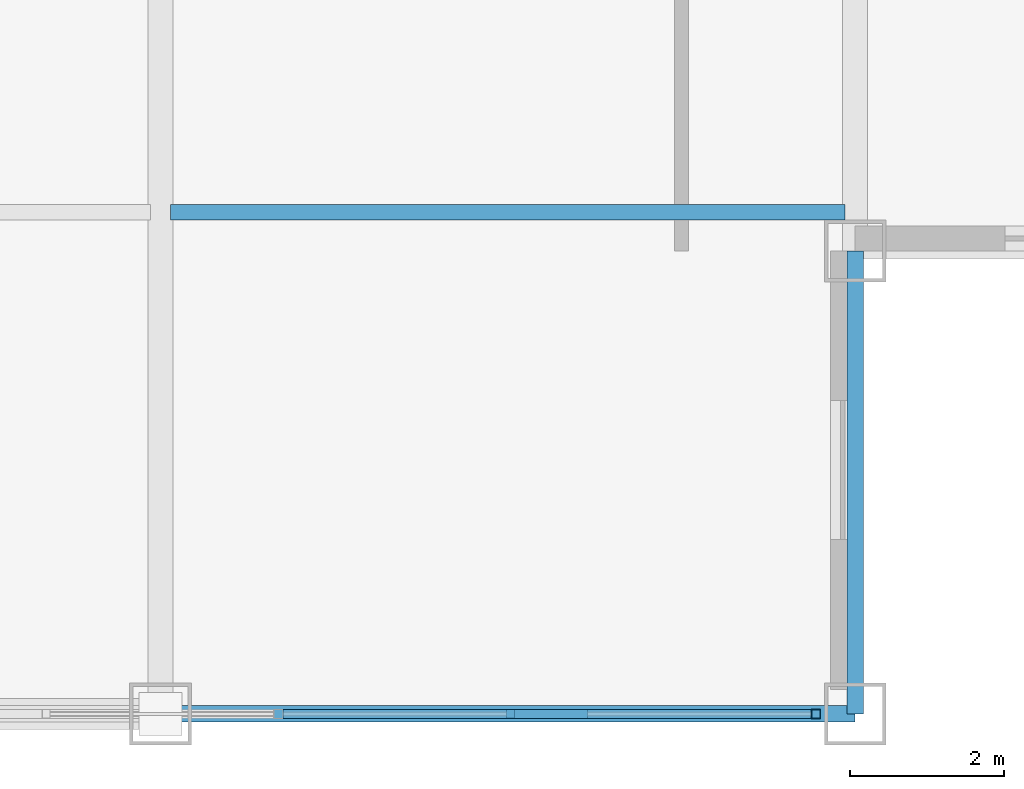
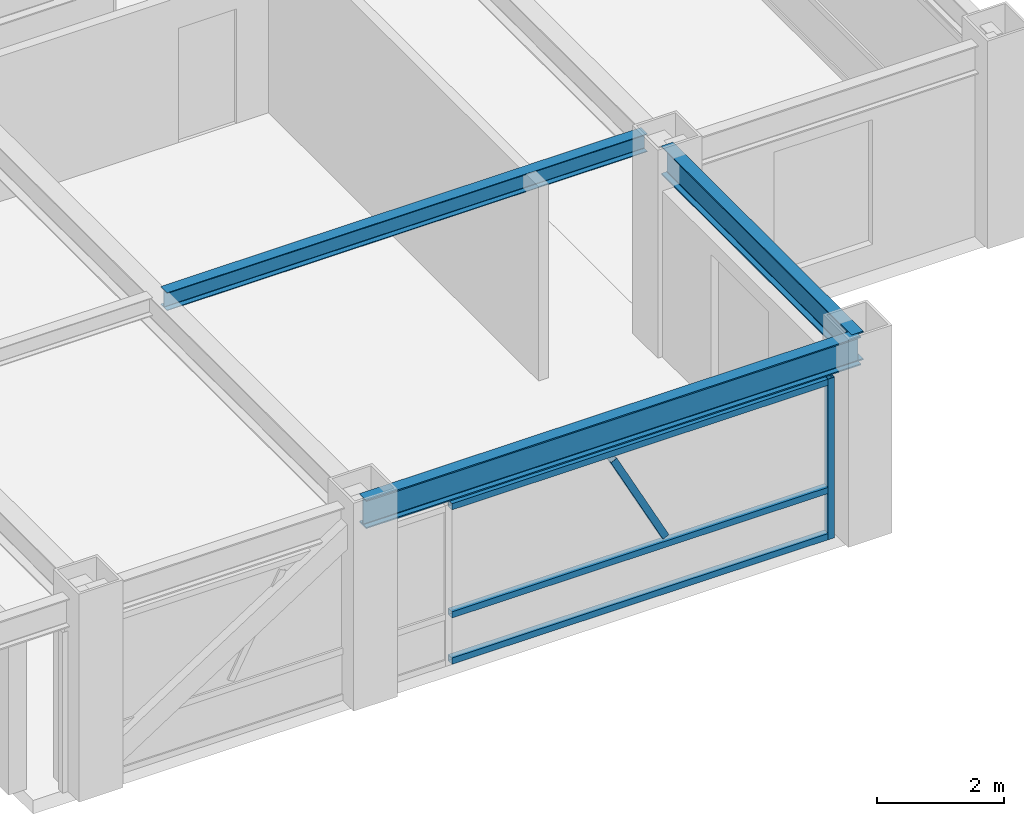
# One storey, part 10 of 29: 5 members, 3 beams, 1 element without a shape of its own.
"""IFC4 building model written with IfcOpenShell, lengths in metres."""

from ifc_helpers import new_model, si_unit, direction, frame, origin, origin_2d, place, context, subcontext, project, spatial, hollow_rectangle, i_section, extrude, source, transform, mapped, material, material_profile, profile_set, type_object, element, aggregate, save


model = new_model("IFC4")

# Units and contexts
model_context = context("Model", 3, precision=1e-05, world=origin(), true_north=direction((0.0, 1.0)))
body_context = subcontext(model_context, "Body", "Model", "MODEL_VIEW")
ifc_project = project(units=[si_unit("LENGTHUNIT", "METRE"), si_unit("AREAUNIT", "SQUARE_METRE"), si_unit("VOLUMEUNIT", "CUBIC_METRE"), si_unit("PLANEANGLEUNIT", "RADIAN"), si_unit("MASSUNIT", "GRAM", prefix="KILO")], contexts=[model_context])

# Site, building, storey
site_placement = place(None, origin())
site = spatial("IfcSite", under=ifc_project, at=site_placement, CompositionType="ELEMENT")
building_placement = place(site_placement, origin())
building = spatial("IfcBuilding", under=site, at=building_placement, Name="Khorayat Bourse Tower", CompositionType="ELEMENT")
storey_placement = place(building_placement, frame((0.0, 0.0, 354.300048828125)))
storey = spatial("IfcBuildingStorey", under=building, at=storey_placement, Name="L84", CompositionType="ELEMENT", Elevation=354.300048828125)

# Beams
ifc_material_1 = material(Name="Steel ASTM A992 Grade 50", Category="steel")
ifc_material_profile_1 = material_profile(ifc_material_1, i_section(OverallWidth=0.214111328125, OverallDepth=0.549072265625, WebThickness=0.0146484375, FlangeThickness=0.023681640625, FilletRadius=0.013916015625, at=origin_2d()), Name="W530X138")
ifc_profile_set_1 = profile_set([ifc_material_profile_1], Name="Steel ASTM A992 Grade 50")
beam_type_1 = type_object("IfcBeamType", Name="BM-SPAN-530", PredefinedType="SPANDREL", material=ifc_profile_set_1)
shared_shape_1 = source(origin(), body_context, "Body", "SweptSolid", [
    extrude(i_section(OverallWidth=0.214111328125, OverallDepth=0.549072265625, WebThickness=0.0146484375, FlangeThickness=0.023681640625, FilletRadius=0.013916015625, at=origin_2d()), origin(), (0.0, 0.0, 1.0), 9.0),
])
beam_1_placement = place(storey_placement, frame((11.0, -26.0, 3.46533203125), z_axis=(1.0, 0.0, 0.0), x_axis=(0.0, 1.0, 0.0)))
element("IfcBeam", 1, at=beam_1_placement, inside=storey, type_object=beam_type_1, Name="L84 BM-SPAN-530 BM-L84-SPN-029", PredefinedType="SPANDREL", context=body_context, shape_type="MappedRepresentation", body=[
    mapped(shared_shape_1, transform((0.0, 0.0, 0.0), scale=1.0)),
])
shared_shape_2 = source(origin(), body_context, "Body", "SweptSolid", [
    extrude(i_section(OverallWidth=0.214111328125, OverallDepth=0.549072265625, WebThickness=0.0146484375, FlangeThickness=0.023681640625, FilletRadius=0.013916015625, at=origin_2d()), origin(), (0.0, 0.0, 1.0), 6.0),
])
beam_2_placement = place(storey_placement, frame((20.0, -26.0, 3.46533203125), z_axis=(0.0, 1.0, 0.0), x_axis=(-1.0, 0.0, 0.0)))
element("IfcBeam", 2, at=beam_2_placement, inside=storey, type_object=beam_type_1, Name="L84 BM-SPAN-530 BM-L84-SPN-030", PredefinedType="SPANDREL", context=body_context, shape_type="MappedRepresentation", body=[
    mapped(shared_shape_2, transform((0.0, 0.0, 0.0), scale=1.0)),
])
ifc_material_profile_2 = material_profile(ifc_material_1, i_section(OverallWidth=0.202880859375, OverallDepth=0.346923828125, WebThickness=0.0078125, FlangeThickness=0.013427734375, FilletRadius=0.010009765625, at=origin_2d()), Name="W360X64")
ifc_profile_set_2 = profile_set([ifc_material_profile_2], Name="Steel ASTM A992 Grade 50")
beam_type_2 = type_object("IfcBeamType", Name="BM-JOIST-360", PredefinedType="JOIST", material=ifc_profile_set_2)
shared_shape_3 = source(origin(), body_context, "Body", "SweptSolid", [
    extrude(i_section(OverallWidth=0.202880859375, OverallDepth=0.346923828125, WebThickness=0.0078125, FlangeThickness=0.013427734375, FilletRadius=0.010009765625, at=origin_2d()), origin(), (0.0, 0.0, 1.0), 8.740234375),
])
beam_3_placement = place(storey_placement, frame((11.1298828125, -19.5, 3.56640625), z_axis=(1.0, 0.0, 0.0), x_axis=(0.0, 1.0, 0.0)))
element("IfcBeam", 3, at=beam_3_placement, inside=storey, type_object=beam_type_2, Name="L84 BM-JOIST-360 BM-L84-JSTX-082", PredefinedType="JOIST", context=body_context, shape_type="MappedRepresentation", body=[
    mapped(shared_shape_3, transform((0.0, 0.0, 0.0), scale=1.0)),
])

# Curtain wall, members
ifc_material_2 = material(Name="Aluminium EN AW-6063 T6", Category="aluminium")
curtain_wall_type = type_object("IfcCurtainWallType", Name="CW-SYS-06", PredefinedType="NOTDEFINED", material=ifc_material_2)
curtain_wall_placement = place(storey_placement, origin())
curtain_wall = element("IfcCurtainWall", 4, at=curtain_wall_placement, inside=storey, type_object=curtain_wall_type, Name="L84 Curtain Wall CW-L84-S2", PredefinedType="NOTDEFINED")
ifc_material_profile_3 = material_profile(ifc_material_2, hollow_rectangle(XDim=0.1201171875, YDim=0.1201171875, WallThickness=0.0048828125, at=origin_2d()), Name="ALU 120x120x5")
ifc_profile_set_3 = profile_set([ifc_material_profile_3], Name="Aluminium EN AW-6063 T6")
member_type_1 = type_object("IfcMemberType", Name="CWM-VERT-120", PredefinedType="MULLION", material=ifc_profile_set_3)
shared_shape_4 = source(origin(), body_context, "Body", "SweptSolid", [
    extrude(hollow_rectangle(XDim=0.1201171875, YDim=0.1201171875, WallThickness=0.0048828125, at=origin_2d()), origin(), (0.0, 0.0, 1.0), 3.08984375),
])
member_1_placement = place(storey_placement, frame((19.489990234375, -26.0, 0.0), z_axis=(0.0, 0.0, 1.0), x_axis=(0.0, 1.0, 0.0)))
member_1 = element("IfcMember", 5, at=member_1_placement, type_object=member_type_1, Name="CW-L84-S2 Vertical Mullion 3", PredefinedType="MULLION", context=body_context, shape_type="MappedRepresentation", body=[
    mapped(shared_shape_4, transform((0.0, 0.0, 0.0), scale=1.0)),
])
ifc_material_profile_4 = material_profile(ifc_material_2, hollow_rectangle(XDim=0.1201171875, YDim=0.1201171875, WallThickness=0.0048828125, at=origin_2d()), Name="ALU 120x120x5")
ifc_profile_set_4 = profile_set([ifc_material_profile_4], Name="Aluminium EN AW-6063 T6")
member_type_2 = type_object("IfcMemberType", Name="CWM-DIAG-120", PredefinedType="MULLION", material=ifc_profile_set_4)
shared_shape_5 = source(origin(), body_context, "Body", "SweptSolid", [
    extrude(hollow_rectangle(XDim=0.1201171875, YDim=0.1201171875, WallThickness=0.0048828125, at=origin_2d()), origin(), (0.0, 0.0, 1.0), 2.0341796875),
])
member_2_placement = place(storey_placement, frame((16.481201171875, -26.0, 1.08984375), z_axis=(-0.465696964104, 0.0, 0.884944256789), x_axis=(0.0, -1.0, 0.0)))
member_2 = element("IfcMember", 6, at=member_2_placement, type_object=member_type_2, Name="CW-L84-S2 Faceted Diagonal Mullion 2", PredefinedType="MULLION", context=body_context, shape_type="MappedRepresentation", body=[
    mapped(shared_shape_5, transform((0.0, 0.0, 0.0), scale=1.0)),
])
ifc_material_profile_5 = material_profile(ifc_material_2, hollow_rectangle(XDim=0.1201171875, YDim=0.1201171875, WallThickness=0.0048828125, at=origin_2d()), Name="ALU 120x120x5")
ifc_profile_set_5 = profile_set([ifc_material_profile_5], Name="Aluminium EN AW-6063 T6")
member_type_3 = type_object("IfcMemberType", Name="CWT-HORZ-120", PredefinedType="USERDEFINED", material=ifc_profile_set_5)
shared_shape_6 = source(origin(), body_context, "Body", "SweptSolid", [
    extrude(hollow_rectangle(XDim=0.1201171875, YDim=0.1201171875, WallThickness=0.0048828125, at=origin_2d()), origin(), (0.0, 0.0, 1.0), 6.844970703125),
])
member_3_placement = place(storey_placement, frame((12.5849609375, -26.0, 0.06005859375), z_axis=(1.0, 0.0, 0.0), x_axis=(0.0, 1.0, 0.0)))
member_3 = element("IfcMember", 7, at=member_3_placement, type_object=member_type_3, Name="CW-L84-S2 Horizontal Transom 2-1", ObjectType="TRANSOM", PredefinedType="USERDEFINED", context=body_context, shape_type="MappedRepresentation", body=[
    mapped(shared_shape_6, transform((0.0, 0.0, 0.0), scale=1.0)),
])
member_4_placement = place(storey_placement, frame((12.5849609375, -26.0, 0.949951171875), z_axis=(1.0, 0.0, 0.0), x_axis=(0.0, 1.0, 0.0)))
member_4 = element("IfcMember", 8, at=member_4_placement, type_object=member_type_3, Name="CW-L84-S2 Horizontal Transom 2-2", ObjectType="TRANSOM", PredefinedType="USERDEFINED", context=body_context, shape_type="MappedRepresentation", body=[
    mapped(shared_shape_6, transform((0.0, 0.0, 0.0), scale=1.0)),
])
member_5_placement = place(storey_placement, frame((12.5849609375, -26.0, 3.030029296875), z_axis=(1.0, 0.0, 0.0), x_axis=(0.0, 1.0, 0.0)))
member_5 = element("IfcMember", 9, at=member_5_placement, type_object=member_type_3, Name="CW-L84-S2 Horizontal Transom 2-3", ObjectType="TRANSOM", PredefinedType="USERDEFINED", context=body_context, shape_type="MappedRepresentation", body=[
    mapped(shared_shape_6, transform((0.0, 0.0, 0.0), scale=1.0)),
])
aggregate(curtain_wall, [member_1, member_3, member_4, member_5, member_2])

save(model, "model.ifc")
